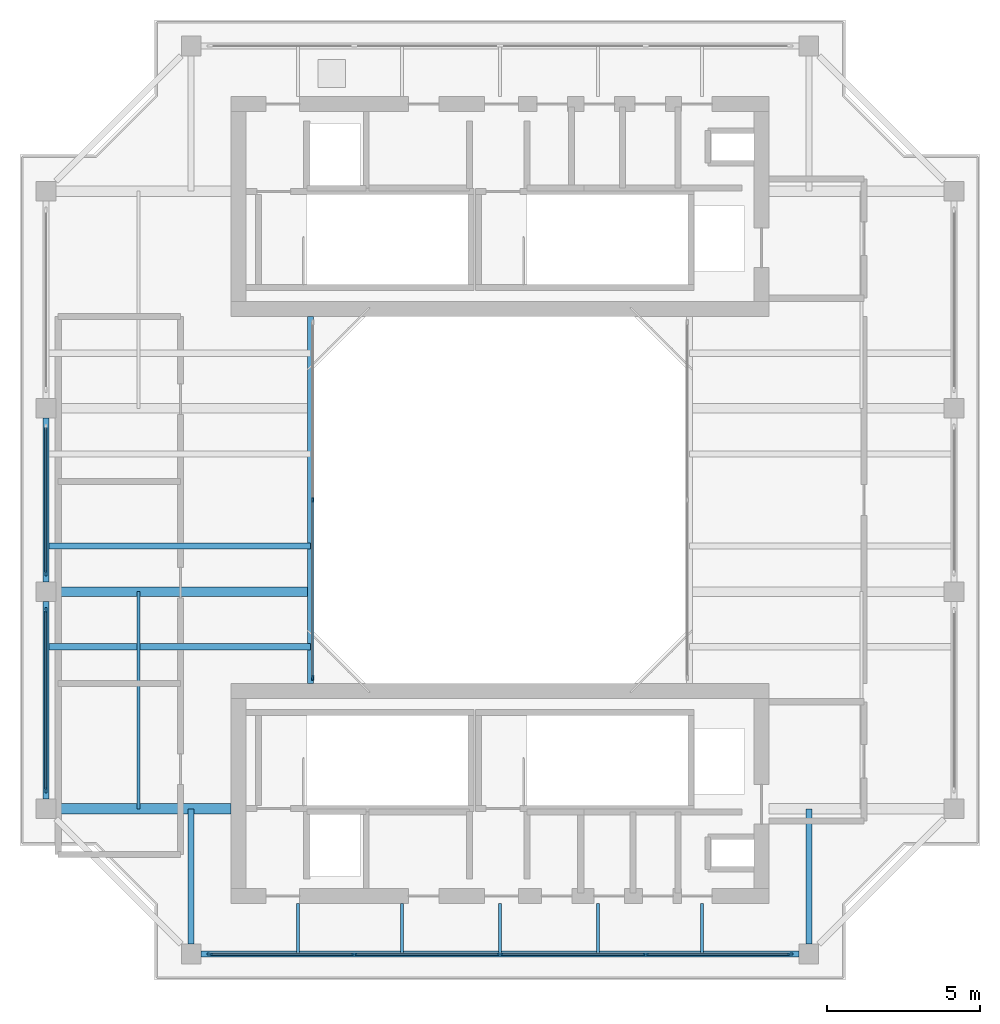
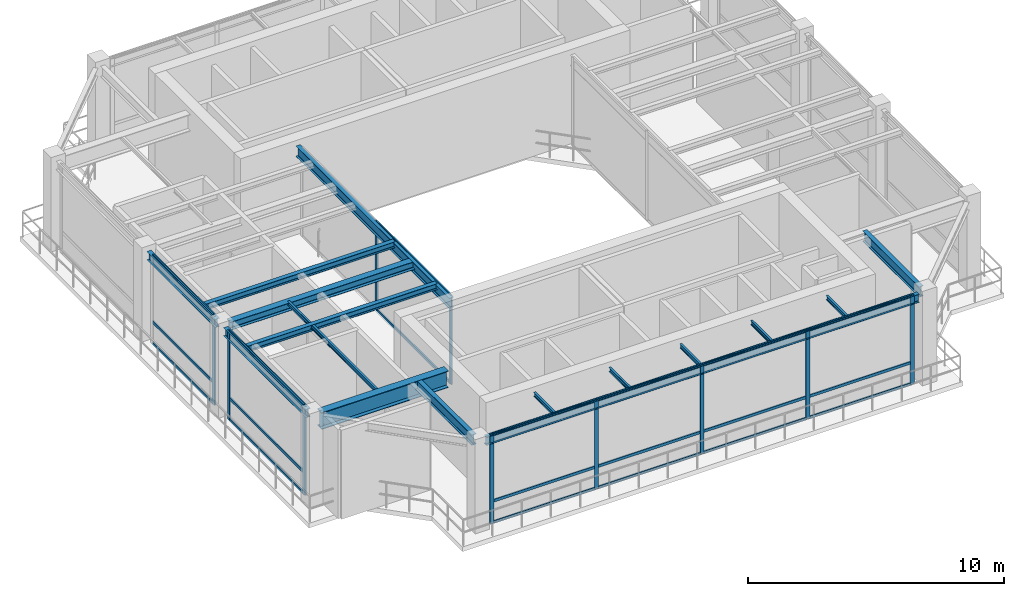
# One storey, part 2 of 9: 30 members, 16 beams, 4 elements without a shape of their own.
"""IFC4 building model written with IfcOpenShell, lengths in metres."""

from ifc_helpers import new_model, si_unit, direction, frame, origin, origin_2d, place, context, subcontext, project, spatial, rectangle, i_section, extrude, source, transform, mapped, material, layer, layer_set, material_profile, profile_set, type_object, element, aggregate, save


model = new_model("IFC4")

# Units and contexts
model_context = context("Model", 3, precision=1e-05, world=origin(), true_north=direction((0.0, 1.0)))
body_context = subcontext(model_context, "Body", "Model", "MODEL_VIEW")
ifc_project = project(units=[si_unit("LENGTHUNIT", "METRE"), si_unit("AREAUNIT", "SQUARE_METRE"), si_unit("VOLUMEUNIT", "CUBIC_METRE"), si_unit("PLANEANGLEUNIT", "RADIAN"), si_unit("MASSUNIT", "GRAM", prefix="KILO"), si_unit("THERMODYNAMICTEMPERATUREUNIT", "KELVIN"), si_unit("POWERUNIT", "WATT")], contexts=[model_context])

# Site, building, storey
site_placement = place(None, origin())
site = spatial("IfcSite", under=ifc_project, at=site_placement, CompositionType="ELEMENT")
building_placement = place(site_placement, origin())
building = spatial("IfcBuilding", under=site, at=building_placement, Name="Qiaomeng Ring Towers", CompositionType="ELEMENT")
storey_placement = place(building_placement, frame((0.0, 0.0, 263.25)))
storey = spatial("IfcBuildingStorey", under=building, at=storey_placement, Name="L77", CompositionType="ELEMENT", Elevation=263.25)

# Beams
ifc_material_1 = material(Name="Steel Q355B", Category="steel")
ifc_material_profile_1 = material_profile(ifc_material_1, i_section(OverallWidth=0.199951171875, OverallDepth=0.5, WebThickness=0.010009765625, FlangeThickness=0.01611328125, FilletRadius=0.02001953125, at=origin_2d()), Name="HN 500x200x10x16")
ifc_profile_set_1 = profile_set([ifc_material_profile_1], Name="Steel Q355B")
beam_type_1 = type_object("IfcBeamType", Name="STR-BM-HN500", PredefinedType="BEAM", material=ifc_profile_set_1)
shared_shape_1 = source(origin(), body_context, "Body", "SweptSolid", [
    extrude(i_section(OverallWidth=0.199951171875, OverallDepth=0.5, WebThickness=0.010009765625, FlangeThickness=0.01611328125, FilletRadius=0.02001953125, at=origin_2d()), origin(), (0.0, 0.0, 1.0), 12.0),
])
beam_1_placement = place(storey_placement, frame((12.800048828125, 17.0, 4.0), z_axis=(0.0, 1.0, 0.0), x_axis=(-1.0, 0.0, 0.0)))
element("IfcBeam", 1, at=beam_1_placement, inside=storey, type_object=beam_type_1, Name="L77 beam STR-BM-L77-WELL-W", PredefinedType="BEAM", context=body_context, shape_type="MappedRepresentation", body=[
    mapped(shared_shape_1, transform((0.0, 0.0, 0.0), x_axis=(1.0, 0.0, 0.0), y_axis=(0.0, 1.0, 0.0), z_axis=(0.0, 0.0, 1.0), scale=1.0)),
])
ifc_material_profile_2 = material_profile(ifc_material_1, i_section(OverallWidth=0.198974609375, OverallDepth=0.39599609375, WebThickness=0.007080078125, FlangeThickness=0.010986328125, FilletRadius=0.01611328125, at=origin_2d()), Name="HN 396x199x7x11")
ifc_profile_set_2 = profile_set([ifc_material_profile_2], Name="Steel Q355B")
beam_type_2 = type_object("IfcBeamType", Name="STR-BM-HN396", PredefinedType="SPANDREL", material=ifc_profile_set_2)
shared_shape_2 = source(origin(), body_context, "Body", "SweptSolid", [
    extrude(i_section(OverallWidth=0.198974609375, OverallDepth=0.39599609375, WebThickness=0.007080078125, FlangeThickness=0.010986328125, FilletRadius=0.01611328125, at=origin_2d()), origin(), (0.0, 0.0, 1.0), 19.5517578125),
])
beam_2_placement = place(storey_placement, frame((9.22412109375, 8.14990234375, 4.052001953125), z_axis=(1.0, 0.0, 0.0), x_axis=(0.0, 1.0, 0.0)))
element("IfcBeam", 2, at=beam_2_placement, inside=storey, type_object=beam_type_2, Name="L77 beam STR-SP-L77-T1-S1-S2", PredefinedType="SPANDREL", context=body_context, shape_type="MappedRepresentation", body=[
    mapped(shared_shape_2, transform((0.0, 0.0, 0.0), x_axis=(1.0, 0.0, 0.0), y_axis=(0.0, 1.0, 0.0), z_axis=(0.0, 0.0, 1.0), scale=1.0)),
])
shared_shape_3 = source(origin(), body_context, "Body", "SweptSolid", [
    extrude(i_section(OverallWidth=0.198974609375, OverallDepth=0.39599609375, WebThickness=0.007080078125, FlangeThickness=0.010986328125, FilletRadius=0.01611328125, at=origin_2d()), origin(), (0.0, 0.0, 1.0), 6.451904296875),
])
beam_3_placement = place(storey_placement, frame((4.14990234375, 19.676025390625, 4.052001953125), z_axis=(0.0, -1.0, 0.0), x_axis=(1.0, 0.0, 0.0)))
element("IfcBeam", 3, at=beam_3_placement, inside=storey, type_object=beam_type_2, Name="L77 beam STR-SP-L77-T1-W2-W1", PredefinedType="SPANDREL", context=body_context, shape_type="MappedRepresentation", body=[
    mapped(shared_shape_3, transform((0.0, 0.0, 0.0), x_axis=(1.0, 0.0, 0.0), y_axis=(0.0, 1.0, 0.0), z_axis=(0.0, 0.0, 1.0), scale=1.0)),
])
shared_shape_4 = source(origin(), body_context, "Body", "SweptSolid", [
    extrude(i_section(OverallWidth=0.198974609375, OverallDepth=0.39599609375, WebThickness=0.007080078125, FlangeThickness=0.010986328125, FilletRadius=0.01611328125, at=origin_2d()), origin(), (0.0, 0.0, 1.0), 5.35205078125),
])
beam_4_placement = place(storey_placement, frame((4.14990234375, 25.676025390625, 4.052001953125), z_axis=(0.0, -1.0, 0.0), x_axis=(1.0, 0.0, 0.0)))
element("IfcBeam", 4, at=beam_4_placement, inside=storey, type_object=beam_type_2, Name="L77 beam STR-SP-L77-T1-W3-W2", PredefinedType="SPANDREL", context=body_context, shape_type="MappedRepresentation", body=[
    mapped(shared_shape_4, transform((0.0, 0.0, 0.0), x_axis=(1.0, 0.0, 0.0), y_axis=(0.0, 1.0, 0.0), z_axis=(0.0, 0.0, 1.0), scale=1.0)),
])
ifc_material_2 = material(Name="Steel Q390GJC", Category="steel")
ifc_material_profile_3 = material_profile(ifc_material_2, i_section(OverallWidth=0.35009765625, OverallDepth=0.800048828125, WebThickness=0.01611328125, FlangeThickness=0.028076171875, at=origin_2d()), Name="WH 800x350x16x28")
ifc_profile_set_3 = profile_set([ifc_material_profile_3], Name="Steel Q390GJC")
beam_type_3 = type_object("IfcBeamType", Name="STR-BM-WH800", PredefinedType="BEAM", material=ifc_profile_set_3)
shared_shape_5 = source(origin(), body_context, "Body", "SweptSolid", [
    extrude(i_section(OverallWidth=0.35009765625, OverallDepth=0.800048828125, WebThickness=0.01611328125, FlangeThickness=0.028076171875, at=origin_2d()), origin(), (0.0, 0.0, 1.0), 5.725830078125),
])
beam_5_placement = place(storey_placement, frame((4.47412109375, 12.89990234375, 3.85009765625), z_axis=(1.0, 0.0, 0.0), x_axis=(0.0, 1.0, 0.0)))
element("IfcBeam", 5, at=beam_5_placement, inside=storey, type_object=beam_type_3, Name="L77 beam STR-BM-L77-T1-RAD-W1", PredefinedType="BEAM", context=body_context, shape_type="MappedRepresentation", body=[
    mapped(shared_shape_5, transform((0.0, 0.0, 0.0), x_axis=(1.0, 0.0, 0.0), y_axis=(0.0, 1.0, 0.0), z_axis=(0.0, 0.0, 1.0), scale=1.0)),
])
ifc_material_profile_4 = material_profile(ifc_material_1, i_section(OverallWidth=0.198974609375, OverallDepth=0.49609375, WebThickness=0.009033203125, FlangeThickness=0.013916015625, FilletRadius=0.01806640625, at=origin_2d()), Name="HN 496x199x9x14")
ifc_profile_set_4 = profile_set([ifc_material_profile_4], Name="Steel Q355B")
beam_type_4 = type_object("IfcBeamType", Name="STR-BM-HN496", PredefinedType="BEAM", material=ifc_profile_set_4)
shared_shape_6 = source(origin(), body_context, "Body", "SweptSolid", [
    extrude(i_section(OverallWidth=0.198974609375, OverallDepth=0.49609375, WebThickness=0.009033203125, FlangeThickness=0.013916015625, FilletRadius=0.01806640625, at=origin_2d()), origin(), (0.0, 0.0, 1.0), 4.42578125),
])
for number, where, z_axis, x_axis, name in (
    (6, (8.89990234375, 8.47412109375, 4.001953125), (0.0, 1.0, 0.0), (-1.0, 0.0, 0.0), "L77 beam STR-BM-L77-T1-RAD-S1"),
    (7, (29.10009765625, 8.47412109375, 4.001953125), (0.0, 1.0, 0.0), (-1.0, 0.0, 0.0), "L77 beam STR-BM-L77-T1-RAD-S2"),
):
    element("IfcBeam", number, at=place(storey_placement, frame(where, z_axis=z_axis, x_axis=x_axis)), inside=storey, type_object=beam_type_4, Name=name, PredefinedType="BEAM", context=body_context, shape_type="MappedRepresentation", body=[
        mapped(shared_shape_6, transform((0.0, 0.0, 0.0), x_axis=(1.0, 0.0, 0.0), y_axis=(0.0, 1.0, 0.0), z_axis=(0.0, 0.0, 1.0), scale=1.0)),
    ])
ifc_material_profile_5 = material_profile(ifc_material_1, i_section(OverallWidth=0.300048828125, OverallDepth=0.389892578125, WebThickness=0.010009765625, FlangeThickness=0.01611328125, FilletRadius=0.02197265625, at=origin_2d()), Name="HM 390x300x10x16")
ifc_profile_set_5 = profile_set([ifc_material_profile_5], Name="Steel Q355B")
beam_type_5 = type_object("IfcBeamType", Name="STR-BM-HM390", PredefinedType="BEAM", material=ifc_profile_set_5)
shared_shape_7 = source(origin(), body_context, "Body", "SweptSolid", [
    extrude(i_section(OverallWidth=0.300048828125, OverallDepth=0.389892578125, WebThickness=0.010009765625, FlangeThickness=0.01611328125, FilletRadius=0.02197265625, at=origin_2d()), origin(), (0.0, 0.0, 1.0), 8.325927734375),
])
beam_6_placement = place(storey_placement, frame((4.47412109375, 20.0, 4.054931640625), z_axis=(1.0, 0.0, 0.0), x_axis=(0.0, 1.0, 0.0)))
element("IfcBeam", 8, at=beam_6_placement, inside=storey, type_object=beam_type_5, Name="L77 beam STR-BM-L77-T1-RAD-W2", PredefinedType="BEAM", context=body_context, shape_type="MappedRepresentation", body=[
    mapped(shared_shape_7, transform((0.0, 0.0, 0.0), x_axis=(1.0, 0.0, 0.0), y_axis=(0.0, 1.0, 0.0), z_axis=(0.0, 0.0, 1.0), scale=1.0)),
])
ifc_material_profile_6 = material_profile(ifc_material_1, i_section(OverallWidth=0.10009765625, OverallDepth=0.199951171875, WebThickness=0.005615234375, FlangeThickness=0.008056640625, FilletRadius=0.010986328125, at=origin_2d()), Name="HN 200x100x5.5x8")
ifc_profile_set_6 = profile_set([ifc_material_profile_6], Name="Steel Q355B")
beam_type_6 = type_object("IfcBeamType", Name="STR-BM-HN200", PredefinedType="JOIST", material=ifc_profile_set_6)
shared_shape_8 = source(origin(), body_context, "Body", "SweptSolid", [
    extrude(i_section(OverallWidth=0.10009765625, OverallDepth=0.199951171875, WebThickness=0.005615234375, FlangeThickness=0.008056640625, FilletRadius=0.010986328125, at=origin_2d()), origin(), (0.0, 0.0, 1.0), 1.650146484375),
])
for number, where, z_axis, x_axis, name in (
    (9, (12.39990234375, 8.14990234375, 4.14990234375), (0.0, 1.0, 0.0), (-1.0, 0.0, 0.0), "L77 beam STR-JST-L77-T1S-1"),
    (10, (15.800048828125, 8.14990234375, 4.14990234375), (0.0, 1.0, 0.0), (-1.0, 0.0, 0.0), "L77 beam STR-JST-L77-T1S-2"),
    (11, (19.0, 8.14990234375, 4.14990234375), (0.0, 1.0, 0.0), (-1.0, 0.0, 0.0), "L77 beam STR-JST-L77-T1S-3"),
    (12, (22.199951171875, 8.14990234375, 4.14990234375), (0.0, 1.0, 0.0), (-1.0, 0.0, 0.0), "L77 beam STR-JST-L77-T1S-4"),
    (13, (25.60009765625, 8.14990234375, 4.14990234375), (0.0, 1.0, 0.0), (-1.0, 0.0, 0.0), "L77 beam STR-JST-L77-T1S-5"),
):
    element("IfcBeam", number, at=place(storey_placement, frame(where, z_axis=z_axis, x_axis=x_axis)), inside=storey, type_object=beam_type_6, Name=name, PredefinedType="JOIST", context=body_context, shape_type="MappedRepresentation", body=[
        mapped(shared_shape_8, transform((0.0, 0.0, 0.0), x_axis=(1.0, 0.0, 0.0), y_axis=(0.0, 1.0, 0.0), z_axis=(0.0, 0.0, 1.0), scale=1.0)),
    ])
ifc_material_profile_7 = material_profile(ifc_material_1, i_section(OverallWidth=0.199951171875, OverallDepth=0.2939453125, WebThickness=0.008056640625, FlangeThickness=0.011962890625, FilletRadius=0.01806640625, at=origin_2d()), Name="HM 294x200x8x12")
ifc_profile_set_7 = profile_set([ifc_material_profile_7], Name="Steel Q355B")
beam_type_7 = type_object("IfcBeamType", Name="STR-BM-HM294", PredefinedType="JOIST", material=ifc_profile_set_7)
shared_shape_9 = source(origin(), body_context, "Body", "SweptSolid", [
    extrude(i_section(OverallWidth=0.199951171875, OverallDepth=0.2939453125, WebThickness=0.008056640625, FlangeThickness=0.011962890625, FilletRadius=0.01806640625, at=origin_2d()), origin(), (0.0, 0.0, 1.0), 8.650146484375),
])
for number, where, z_axis, x_axis, name in (
    (14, (4.14990234375, 18.199951171875, 4.10302734375), (1.0, 0.0, 0.0), (0.0, 1.0, 0.0), "L77 beam STR-JST-L77-T1W-1"),
    (15, (4.14990234375, 21.5, 4.10302734375), (1.0, 0.0, 0.0), (0.0, 1.0, 0.0), "L77 beam STR-JST-L77-T1W-2"),
):
    element("IfcBeam", number, at=place(storey_placement, frame(where, z_axis=z_axis, x_axis=x_axis)), inside=storey, type_object=beam_type_7, Name=name, PredefinedType="JOIST", context=body_context, shape_type="MappedRepresentation", body=[
        mapped(shared_shape_9, transform((0.0, 0.0, 0.0), x_axis=(1.0, 0.0, 0.0), y_axis=(0.0, 1.0, 0.0), z_axis=(0.0, 0.0, 1.0), scale=1.0)),
    ])
shared_shape_10 = source(origin(), body_context, "Body", "SweptSolid", [
    extrude(i_section(OverallWidth=0.10009765625, OverallDepth=0.199951171875, WebThickness=0.005615234375, FlangeThickness=0.008056640625, FilletRadius=0.010986328125, at=origin_2d()), origin(), (0.0, 0.0, 1.0), 7.10009765625),
])
beam_7_placement = place(storey_placement, frame((7.175048828125, 12.89990234375, 4.14990234375), z_axis=(0.0, 1.0, 0.0), x_axis=(-1.0, 0.0, 0.0)))
element("IfcBeam", 16, at=beam_7_placement, inside=storey, type_object=beam_type_6, Name="L77 beam STR-JST-L77-T1C-WS", PredefinedType="JOIST", context=body_context, shape_type="MappedRepresentation", body=[
    mapped(shared_shape_10, transform((0.0, 0.0, 0.0), x_axis=(1.0, 0.0, 0.0), y_axis=(0.0, 1.0, 0.0), z_axis=(0.0, 0.0, 1.0), scale=1.0)),
])

# Curtain wall, members
ifc_material_3 = material(Name="Fluorocarbon dark-grey aluminium", Category="aluminium")
ifc_layer_1 = layer(ifc_material_3, 0.139892578125, Name="Fluorocarbon dark-grey aluminium")
ifc_layer_set_1 = layer_set([ifc_layer_1], Name="Fluorocarbon dark-grey aluminium")
curtain_wall_type_1 = type_object("IfcCurtainWallType", Name="ARC-CW-4", PredefinedType="NOTDEFINED", material=ifc_layer_set_1)
curtain_wall_1_placement = place(storey_placement, origin())
curtain_wall_1 = element("IfcCurtainWall", 17, at=curtain_wall_1_placement, inside=storey, type_object=curtain_wall_type_1, Name="L77 Curtain Wall CW4", PredefinedType="NOTDEFINED")
ifc_material_profile_8 = material_profile(ifc_material_3, rectangle(XDim=0.06494140625, YDim=0.1298828125, at=origin_2d()), Name="ALU TRAN 65x130")
ifc_profile_set_8 = profile_set([ifc_material_profile_8], Name="Fluorocarbon dark-grey aluminium")
member_type_1 = type_object("IfcMemberType", Name="ARC-CWT-120", PredefinedType="USERDEFINED", material=ifc_profile_set_8)
shared_shape_11 = source(origin(), body_context, "Body", "SweptSolid", [
    extrude(rectangle(XDim=0.06494140625, YDim=0.1298828125, at=origin_2d()), origin(), (0.0, 0.0, 1.0), 5.75244140625),
])
member_1_placement = place(storey_placement, frame((12.8798828125, 17.215087890625, 0.032470703125), z_axis=(0.0, 1.0, 0.0), x_axis=(-1.0, 0.0, 0.0)))
member_1 = element("IfcMember", 18, at=member_1_placement, type_object=member_type_1, Name="CW4 transom 1.1", ObjectType="TRANSOM", PredefinedType="USERDEFINED", context=body_context, shape_type="MappedRepresentation", body=[
    mapped(shared_shape_11, transform((0.0, 0.0, 0.0), x_axis=(1.0, 0.0, 0.0), y_axis=(0.0, 1.0, 0.0), z_axis=(0.0, 0.0, 1.0), scale=1.0)),
])
member_2_placement = place(storey_placement, frame((12.8798828125, 17.215087890625, 4.217529296875), z_axis=(0.0, 1.0, 0.0), x_axis=(-1.0, 0.0, 0.0)))
member_2 = element("IfcMember", 19, at=member_2_placement, type_object=member_type_1, Name="CW4 transom 1.2", ObjectType="TRANSOM", PredefinedType="USERDEFINED", context=body_context, shape_type="MappedRepresentation", body=[
    mapped(shared_shape_11, transform((0.0, 0.0, 0.0), x_axis=(1.0, 0.0, 0.0), y_axis=(0.0, 1.0, 0.0), z_axis=(0.0, 0.0, 1.0), scale=1.0)),
])
ifc_material_profile_9 = material_profile(ifc_material_3, rectangle(XDim=0.06494140625, YDim=0.159912109375, at=origin_2d()), Name="ALU MULL 65x160")
ifc_profile_set_9 = profile_set([ifc_material_profile_9], Name="Fluorocarbon dark-grey aluminium")
member_type_2 = type_object("IfcMemberType", Name="ARC-CWM-140", PredefinedType="MULLION", material=ifc_profile_set_9)
shared_shape_12 = source(origin(), body_context, "Body", "SweptSolid", [
    extrude(rectangle(XDim=0.06494140625, YDim=0.159912109375, at=origin_2d()), origin(), (0.0, 0.0, 1.0), 4.25),
])
member_3_placement = place(storey_placement, frame((12.8798828125, 17.1826171875, 0.0), z_axis=(0.0, 0.0, 1.0), x_axis=(-1.0, 0.0, 0.0)))
member_3 = element("IfcMember", 20, at=member_3_placement, type_object=member_type_2, Name="CW4 mullion 1", PredefinedType="MULLION", context=body_context, shape_type="MappedRepresentation", body=[
    mapped(shared_shape_12, transform((0.0, 0.0, 0.0), x_axis=(1.0, 0.0, 0.0), y_axis=(0.0, 1.0, 0.0), z_axis=(0.0, 0.0, 1.0), scale=1.0)),
])
member_4_placement = place(storey_placement, frame((12.8798828125, 23.0, 0.0), z_axis=(0.0, 0.0, 1.0), x_axis=(-1.0, 0.0, 0.0)))
member_4 = element("IfcMember", 21, at=member_4_placement, type_object=member_type_2, Name="CW4 mullion 2", PredefinedType="MULLION", context=body_context, shape_type="MappedRepresentation", body=[
    mapped(shared_shape_12, transform((0.0, 0.0, 0.0), x_axis=(1.0, 0.0, 0.0), y_axis=(0.0, 1.0, 0.0), z_axis=(0.0, 0.0, 1.0), scale=1.0)),
])
aggregate(curtain_wall_1, [member_3, member_4, member_1, member_2])

ifc_layer_2 = layer(ifc_material_3, 0.169921875, Name="Fluorocarbon dark-grey aluminium")
ifc_layer_set_2 = layer_set([ifc_layer_2], Name="Fluorocarbon dark-grey aluminium")
curtain_wall_type_2 = type_object("IfcCurtainWallType", Name="ARC-CW-6", PredefinedType="NOTDEFINED", material=ifc_layer_set_2)
curtain_wall_2_placement = place(storey_placement, origin())
curtain_wall_2 = element("IfcCurtainWall", 22, at=curtain_wall_2_placement, inside=storey, type_object=curtain_wall_type_2, Name="L77 Curtain Wall CW6", PredefinedType="NOTDEFINED")
ifc_material_profile_10 = material_profile(ifc_material_3, rectangle(XDim=0.070068359375, YDim=0.179931640625, at=origin_2d()), Name="ALU MULL 70x180")
ifc_profile_set_10 = profile_set([ifc_material_profile_10], Name="Fluorocarbon dark-grey aluminium")
member_type_3 = type_object("IfcMemberType", Name="ARC-CWM-160", PredefinedType="MULLION", material=ifc_profile_set_10)
shared_shape_13 = source(origin(), body_context, "Body", "SweptSolid", [
    extrude(rectangle(XDim=0.070068359375, YDim=0.179931640625, at=origin_2d()), origin(), (0.0, 0.0, 1.0), 4.25),
])
member_5_placement = place(storey_placement, frame((9.5, 8.14990234375, 0.0), z_axis=(0.0, 0.0, 1.0), x_axis=(0.0, 1.0, 0.0)))
member_5 = element("IfcMember", 23, at=member_5_placement, type_object=member_type_3, Name="CW6 mullion 1", PredefinedType="MULLION", context=body_context, shape_type="MappedRepresentation", body=[
    mapped(shared_shape_13, transform((0.0, 0.0, 0.0), x_axis=(1.0, 0.0, 0.0), y_axis=(0.0, 1.0, 0.0), z_axis=(0.0, 0.0, 1.0), scale=1.0)),
])
member_6_placement = place(storey_placement, frame((14.232421875, 8.14990234375, 0.0), z_axis=(0.0, 0.0, 1.0), x_axis=(0.0, 1.0, 0.0)))
member_6 = element("IfcMember", 24, at=member_6_placement, type_object=member_type_3, Name="CW6 mullion 2", PredefinedType="MULLION", context=body_context, shape_type="MappedRepresentation", body=[
    mapped(shared_shape_13, transform((0.0, 0.0, 0.0), x_axis=(1.0, 0.0, 0.0), y_axis=(0.0, 1.0, 0.0), z_axis=(0.0, 0.0, 1.0), scale=1.0)),
])
member_7_placement = place(storey_placement, frame((19.0, 8.14990234375, 0.0), z_axis=(0.0, 0.0, 1.0), x_axis=(0.0, 1.0, 0.0)))
member_7 = element("IfcMember", 25, at=member_7_placement, type_object=member_type_3, Name="CW6 mullion 3", PredefinedType="MULLION", context=body_context, shape_type="MappedRepresentation", body=[
    mapped(shared_shape_13, transform((0.0, 0.0, 0.0), x_axis=(1.0, 0.0, 0.0), y_axis=(0.0, 1.0, 0.0), z_axis=(0.0, 0.0, 1.0), scale=1.0)),
])
member_8_placement = place(storey_placement, frame((23.767578125, 8.14990234375, 0.0), z_axis=(0.0, 0.0, 1.0), x_axis=(0.0, 1.0, 0.0)))
member_8 = element("IfcMember", 26, at=member_8_placement, type_object=member_type_3, Name="CW6 mullion 4", PredefinedType="MULLION", context=body_context, shape_type="MappedRepresentation", body=[
    mapped(shared_shape_13, transform((0.0, 0.0, 0.0), x_axis=(1.0, 0.0, 0.0), y_axis=(0.0, 1.0, 0.0), z_axis=(0.0, 0.0, 1.0), scale=1.0)),
])
member_9_placement = place(storey_placement, frame((28.5, 8.14990234375, 0.0), z_axis=(0.0, 0.0, 1.0), x_axis=(0.0, 1.0, 0.0)))
member_9 = element("IfcMember", 27, at=member_9_placement, type_object=member_type_3, Name="CW6 mullion 5", PredefinedType="MULLION", context=body_context, shape_type="MappedRepresentation", body=[
    mapped(shared_shape_13, transform((0.0, 0.0, 0.0), x_axis=(1.0, 0.0, 0.0), y_axis=(0.0, 1.0, 0.0), z_axis=(0.0, 0.0, 1.0), scale=1.0)),
])

# Curtain wall, member
curtain_wall_3_placement = place(storey_placement, origin())
curtain_wall_3 = element("IfcCurtainWall", 28, at=curtain_wall_3_placement, inside=storey, type_object=curtain_wall_type_2, Name="L77 Curtain Wall CW6", PredefinedType="NOTDEFINED")
member_10_placement = place(storey_placement, frame((4.14990234375, 20.60009765625, 0.0), z_axis=(0.0, 0.0, 1.0), x_axis=(1.0, 0.0, 0.0)))
member_10 = element("IfcMember", 29, at=member_10_placement, type_object=member_type_3, Name="CW6 mullion 2", PredefinedType="MULLION", context=body_context, shape_type="MappedRepresentation", body=[
    mapped(shared_shape_13, transform((0.0, 0.0, 0.0), x_axis=(1.0, 0.0, 0.0), y_axis=(0.0, 1.0, 0.0), z_axis=(0.0, 0.0, 1.0), scale=1.0)),
])

# Curtain wall, members
curtain_wall_4_placement = place(storey_placement, origin())
curtain_wall_4 = element("IfcCurtainWall", 30, at=curtain_wall_4_placement, inside=storey, type_object=curtain_wall_type_2, Name="L77 Curtain Wall CW6", PredefinedType="NOTDEFINED")
member_11_placement = place(storey_placement, frame((4.14990234375, 19.39990234375, 0.0), z_axis=(0.0, 0.0, 1.0), x_axis=(1.0, 0.0, 0.0)))
member_11 = element("IfcMember", 31, at=member_11_placement, type_object=member_type_3, Name="CW6 mullion 1", PredefinedType="MULLION", context=body_context, shape_type="MappedRepresentation", body=[
    mapped(shared_shape_13, transform((0.0, 0.0, 0.0), x_axis=(1.0, 0.0, 0.0), y_axis=(0.0, 1.0, 0.0), z_axis=(0.0, 0.0, 1.0), scale=1.0)),
])
member_12_placement = place(storey_placement, frame((4.14990234375, 13.5, 0.0), z_axis=(0.0, 0.0, 1.0), x_axis=(1.0, 0.0, 0.0)))
member_12 = element("IfcMember", 32, at=member_12_placement, type_object=member_type_3, Name="CW6 mullion 2", PredefinedType="MULLION", context=body_context, shape_type="MappedRepresentation", body=[
    mapped(shared_shape_13, transform((0.0, 0.0, 0.0), x_axis=(1.0, 0.0, 0.0), y_axis=(0.0, 1.0, 0.0), z_axis=(0.0, 0.0, 1.0), scale=1.0)),
])

# Member
shared_shape_14 = source(origin(), body_context, "Body", "SweptSolid", [
    extrude(rectangle(XDim=0.06494140625, YDim=0.1298828125, at=origin_2d()), origin(), (0.0, 0.0, 1.0), 4.66259765625),
])
member_13_placement = place(storey_placement, frame((9.534912109375, 8.14990234375, 0.032470703125), z_axis=(1.0, 0.0, 0.0), x_axis=(0.0, 1.0, 0.0)))
member_13 = element("IfcMember", 33, at=member_13_placement, type_object=member_type_1, Name="CW6 transom 1.1", ObjectType="TRANSOM", PredefinedType="USERDEFINED", context=body_context, shape_type="MappedRepresentation", body=[
    mapped(shared_shape_14, transform((0.0, 0.0, 0.0), x_axis=(1.0, 0.0, 0.0), y_axis=(0.0, 1.0, 0.0), z_axis=(0.0, 0.0, 1.0), scale=1.0)),
])

member_14_placement = place(storey_placement, frame((9.534912109375, 8.14990234375, 1.050048828125), z_axis=(1.0, 0.0, 0.0), x_axis=(0.0, 1.0, 0.0)))
member_14 = element("IfcMember", 34, at=member_14_placement, type_object=member_type_1, Name="CW6 transom 1.2", ObjectType="TRANSOM", PredefinedType="USERDEFINED", context=body_context, shape_type="MappedRepresentation", body=[
    mapped(shared_shape_14, transform((0.0, 0.0, 0.0), x_axis=(1.0, 0.0, 0.0), y_axis=(0.0, 1.0, 0.0), z_axis=(0.0, 0.0, 1.0), scale=1.0)),
])

member_15_placement = place(storey_placement, frame((9.534912109375, 8.14990234375, 4.217529296875), z_axis=(1.0, 0.0, 0.0), x_axis=(0.0, 1.0, 0.0)))
member_15 = element("IfcMember", 35, at=member_15_placement, type_object=member_type_1, Name="CW6 transom 1.3", ObjectType="TRANSOM", PredefinedType="USERDEFINED", context=body_context, shape_type="MappedRepresentation", body=[
    mapped(shared_shape_14, transform((0.0, 0.0, 0.0), x_axis=(1.0, 0.0, 0.0), y_axis=(0.0, 1.0, 0.0), z_axis=(0.0, 0.0, 1.0), scale=1.0)),
])

member_16_placement = place(storey_placement, frame((23.802490234375, 8.14990234375, 0.032470703125), z_axis=(1.0, 0.0, 0.0), x_axis=(0.0, 1.0, 0.0)))
member_16 = element("IfcMember", 36, at=member_16_placement, type_object=member_type_1, Name="CW6 transom 4.1", ObjectType="TRANSOM", PredefinedType="USERDEFINED", context=body_context, shape_type="MappedRepresentation", body=[
    mapped(shared_shape_14, transform((0.0, 0.0, 0.0), x_axis=(1.0, 0.0, 0.0), y_axis=(0.0, 1.0, 0.0), z_axis=(0.0, 0.0, 1.0), scale=1.0)),
])

member_17_placement = place(storey_placement, frame((23.802490234375, 8.14990234375, 1.050048828125), z_axis=(1.0, 0.0, 0.0), x_axis=(0.0, 1.0, 0.0)))
member_17 = element("IfcMember", 37, at=member_17_placement, type_object=member_type_1, Name="CW6 transom 4.2", ObjectType="TRANSOM", PredefinedType="USERDEFINED", context=body_context, shape_type="MappedRepresentation", body=[
    mapped(shared_shape_14, transform((0.0, 0.0, 0.0), x_axis=(1.0, 0.0, 0.0), y_axis=(0.0, 1.0, 0.0), z_axis=(0.0, 0.0, 1.0), scale=1.0)),
])

member_18_placement = place(storey_placement, frame((23.802490234375, 8.14990234375, 4.217529296875), z_axis=(1.0, 0.0, 0.0), x_axis=(0.0, 1.0, 0.0)))
member_18 = element("IfcMember", 38, at=member_18_placement, type_object=member_type_1, Name="CW6 transom 4.3", ObjectType="TRANSOM", PredefinedType="USERDEFINED", context=body_context, shape_type="MappedRepresentation", body=[
    mapped(shared_shape_14, transform((0.0, 0.0, 0.0), x_axis=(1.0, 0.0, 0.0), y_axis=(0.0, 1.0, 0.0), z_axis=(0.0, 0.0, 1.0), scale=1.0)),
])

shared_shape_15 = source(origin(), body_context, "Body", "SweptSolid", [
    extrude(rectangle(XDim=0.06494140625, YDim=0.1298828125, at=origin_2d()), origin(), (0.0, 0.0, 1.0), 4.697509765625),
])
member_19_placement = place(storey_placement, frame((14.267578125, 8.14990234375, 0.032470703125), z_axis=(1.0, 0.0, 0.0), x_axis=(0.0, 1.0, 0.0)))
member_19 = element("IfcMember", 39, at=member_19_placement, type_object=member_type_1, Name="CW6 transom 2.1", ObjectType="TRANSOM", PredefinedType="USERDEFINED", context=body_context, shape_type="MappedRepresentation", body=[
    mapped(shared_shape_15, transform((0.0, 0.0, 0.0), x_axis=(1.0, 0.0, 0.0), y_axis=(0.0, 1.0, 0.0), z_axis=(0.0, 0.0, 1.0), scale=1.0)),
])

member_20_placement = place(storey_placement, frame((14.267578125, 8.14990234375, 1.050048828125), z_axis=(1.0, 0.0, 0.0), x_axis=(0.0, 1.0, 0.0)))
member_20 = element("IfcMember", 40, at=member_20_placement, type_object=member_type_1, Name="CW6 transom 2.2", ObjectType="TRANSOM", PredefinedType="USERDEFINED", context=body_context, shape_type="MappedRepresentation", body=[
    mapped(shared_shape_15, transform((0.0, 0.0, 0.0), x_axis=(1.0, 0.0, 0.0), y_axis=(0.0, 1.0, 0.0), z_axis=(0.0, 0.0, 1.0), scale=1.0)),
])

member_21_placement = place(storey_placement, frame((14.267578125, 8.14990234375, 4.217529296875), z_axis=(1.0, 0.0, 0.0), x_axis=(0.0, 1.0, 0.0)))
member_21 = element("IfcMember", 41, at=member_21_placement, type_object=member_type_1, Name="CW6 transom 2.3", ObjectType="TRANSOM", PredefinedType="USERDEFINED", context=body_context, shape_type="MappedRepresentation", body=[
    mapped(shared_shape_15, transform((0.0, 0.0, 0.0), x_axis=(1.0, 0.0, 0.0), y_axis=(0.0, 1.0, 0.0), z_axis=(0.0, 0.0, 1.0), scale=1.0)),
])

member_22_placement = place(storey_placement, frame((19.034912109375, 8.14990234375, 0.032470703125), z_axis=(1.0, 0.0, 0.0), x_axis=(0.0, 1.0, 0.0)))
member_22 = element("IfcMember", 42, at=member_22_placement, type_object=member_type_1, Name="CW6 transom 3.1", ObjectType="TRANSOM", PredefinedType="USERDEFINED", context=body_context, shape_type="MappedRepresentation", body=[
    mapped(shared_shape_15, transform((0.0, 0.0, 0.0), x_axis=(1.0, 0.0, 0.0), y_axis=(0.0, 1.0, 0.0), z_axis=(0.0, 0.0, 1.0), scale=1.0)),
])

member_23_placement = place(storey_placement, frame((19.034912109375, 8.14990234375, 1.050048828125), z_axis=(1.0, 0.0, 0.0), x_axis=(0.0, 1.0, 0.0)))
member_23 = element("IfcMember", 43, at=member_23_placement, type_object=member_type_1, Name="CW6 transom 3.2", ObjectType="TRANSOM", PredefinedType="USERDEFINED", context=body_context, shape_type="MappedRepresentation", body=[
    mapped(shared_shape_15, transform((0.0, 0.0, 0.0), x_axis=(1.0, 0.0, 0.0), y_axis=(0.0, 1.0, 0.0), z_axis=(0.0, 0.0, 1.0), scale=1.0)),
])

member_24_placement = place(storey_placement, frame((19.034912109375, 8.14990234375, 4.217529296875), z_axis=(1.0, 0.0, 0.0), x_axis=(0.0, 1.0, 0.0)))
member_24 = element("IfcMember", 44, at=member_24_placement, type_object=member_type_1, Name="CW6 transom 3.3", ObjectType="TRANSOM", PredefinedType="USERDEFINED", context=body_context, shape_type="MappedRepresentation", body=[
    mapped(shared_shape_15, transform((0.0, 0.0, 0.0), x_axis=(1.0, 0.0, 0.0), y_axis=(0.0, 1.0, 0.0), z_axis=(0.0, 0.0, 1.0), scale=1.0)),
])

aggregate(curtain_wall_2, [member_5, member_6, member_7, member_8, member_9, member_13, member_14, member_15, member_19, member_20, member_21, member_22, member_23, member_24, member_16, member_17, member_18])

shared_shape_16 = source(origin(), body_context, "Body", "SweptSolid", [
    extrude(rectangle(XDim=0.06494140625, YDim=0.1298828125, at=origin_2d()), origin(), (0.0, 0.0, 1.0), 5.830078125),
])
member_25_placement = place(storey_placement, frame((4.14990234375, 19.364990234375, 0.032470703125), z_axis=(0.0, -1.0, 0.0), x_axis=(1.0, 0.0, 0.0)))
member_25 = element("IfcMember", 45, at=member_25_placement, type_object=member_type_1, Name="CW6 transom 1.1", ObjectType="TRANSOM", PredefinedType="USERDEFINED", context=body_context, shape_type="MappedRepresentation", body=[
    mapped(shared_shape_16, transform((0.0, 0.0, 0.0), x_axis=(1.0, 0.0, 0.0), y_axis=(0.0, 1.0, 0.0), z_axis=(0.0, 0.0, 1.0), scale=1.0)),
])

member_26_placement = place(storey_placement, frame((4.14990234375, 19.364990234375, 1.050048828125), z_axis=(0.0, -1.0, 0.0), x_axis=(1.0, 0.0, 0.0)))
member_26 = element("IfcMember", 46, at=member_26_placement, type_object=member_type_1, Name="CW6 transom 1.2", ObjectType="TRANSOM", PredefinedType="USERDEFINED", context=body_context, shape_type="MappedRepresentation", body=[
    mapped(shared_shape_16, transform((0.0, 0.0, 0.0), x_axis=(1.0, 0.0, 0.0), y_axis=(0.0, 1.0, 0.0), z_axis=(0.0, 0.0, 1.0), scale=1.0)),
])

member_27_placement = place(storey_placement, frame((4.14990234375, 19.364990234375, 4.217529296875), z_axis=(0.0, -1.0, 0.0), x_axis=(1.0, 0.0, 0.0)))
member_27 = element("IfcMember", 47, at=member_27_placement, type_object=member_type_1, Name="CW6 transom 1.3", ObjectType="TRANSOM", PredefinedType="USERDEFINED", context=body_context, shape_type="MappedRepresentation", body=[
    mapped(shared_shape_16, transform((0.0, 0.0, 0.0), x_axis=(1.0, 0.0, 0.0), y_axis=(0.0, 1.0, 0.0), z_axis=(0.0, 0.0, 1.0), scale=1.0)),
])

aggregate(curtain_wall_4, [member_11, member_12, member_25, member_26, member_27])

shared_shape_17 = source(origin(), body_context, "Body", "SweptSolid", [
    extrude(rectangle(XDim=0.06494140625, YDim=0.1298828125, at=origin_2d()), origin(), (0.0, 0.0, 1.0), 4.72998046875),
])
member_28_placement = place(storey_placement, frame((4.14990234375, 25.364990234375, 0.032470703125), z_axis=(0.0, -1.0, 0.0), x_axis=(1.0, 0.0, 0.0)))
member_28 = element("IfcMember", 48, at=member_28_placement, type_object=member_type_1, Name="CW6 transom 1.1", ObjectType="TRANSOM", PredefinedType="USERDEFINED", context=body_context, shape_type="MappedRepresentation", body=[
    mapped(shared_shape_17, transform((0.0, 0.0, 0.0), x_axis=(1.0, 0.0, 0.0), y_axis=(0.0, 1.0, 0.0), z_axis=(0.0, 0.0, 1.0), scale=1.0)),
])

member_29_placement = place(storey_placement, frame((4.14990234375, 25.364990234375, 1.050048828125), z_axis=(0.0, -1.0, 0.0), x_axis=(1.0, 0.0, 0.0)))
member_29 = element("IfcMember", 49, at=member_29_placement, type_object=member_type_1, Name="CW6 transom 1.2", ObjectType="TRANSOM", PredefinedType="USERDEFINED", context=body_context, shape_type="MappedRepresentation", body=[
    mapped(shared_shape_17, transform((0.0, 0.0, 0.0), x_axis=(1.0, 0.0, 0.0), y_axis=(0.0, 1.0, 0.0), z_axis=(0.0, 0.0, 1.0), scale=1.0)),
])

member_30_placement = place(storey_placement, frame((4.14990234375, 25.364990234375, 4.217529296875), z_axis=(0.0, -1.0, 0.0), x_axis=(1.0, 0.0, 0.0)))
member_30 = element("IfcMember", 50, at=member_30_placement, type_object=member_type_1, Name="CW6 transom 1.3", ObjectType="TRANSOM", PredefinedType="USERDEFINED", context=body_context, shape_type="MappedRepresentation", body=[
    mapped(shared_shape_17, transform((0.0, 0.0, 0.0), x_axis=(1.0, 0.0, 0.0), y_axis=(0.0, 1.0, 0.0), z_axis=(0.0, 0.0, 1.0), scale=1.0)),
])

aggregate(curtain_wall_3, [member_10, member_28, member_29, member_30])

save(model, "model.ifc")
